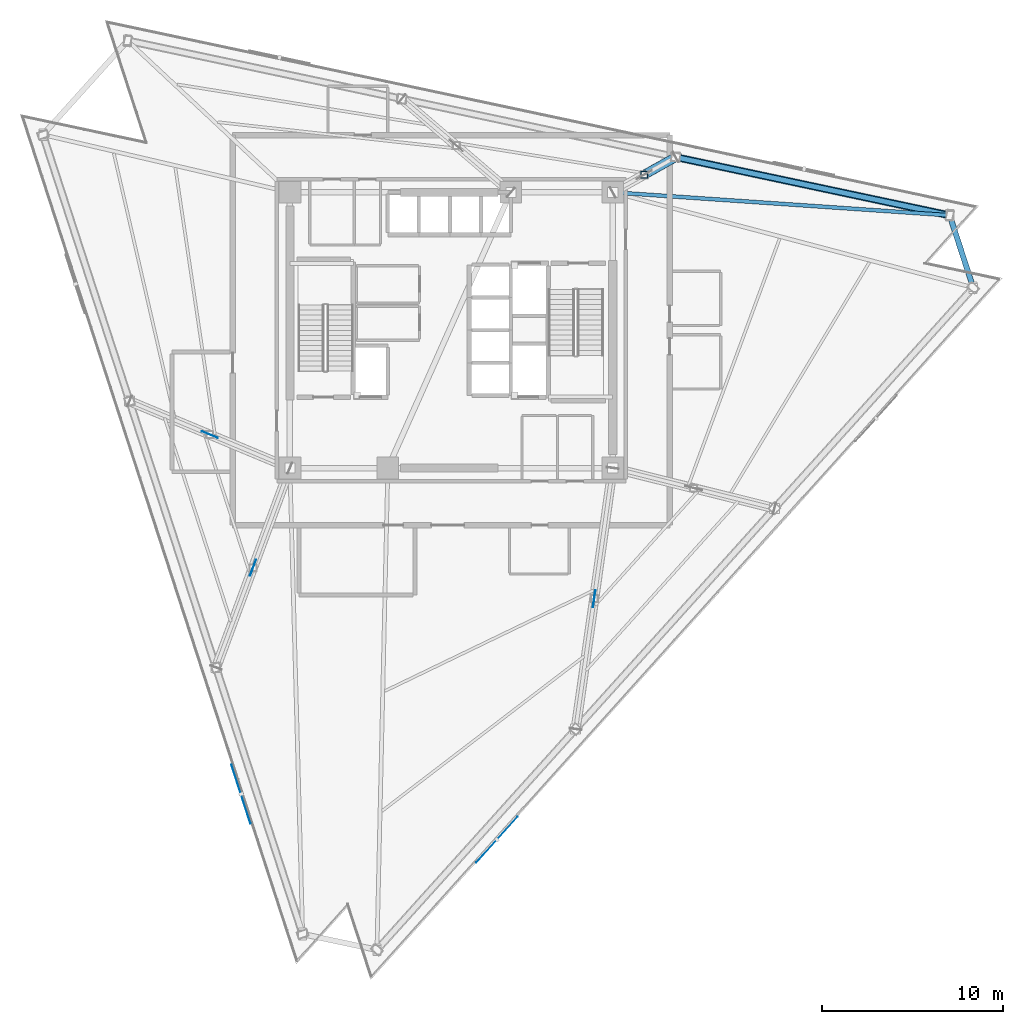
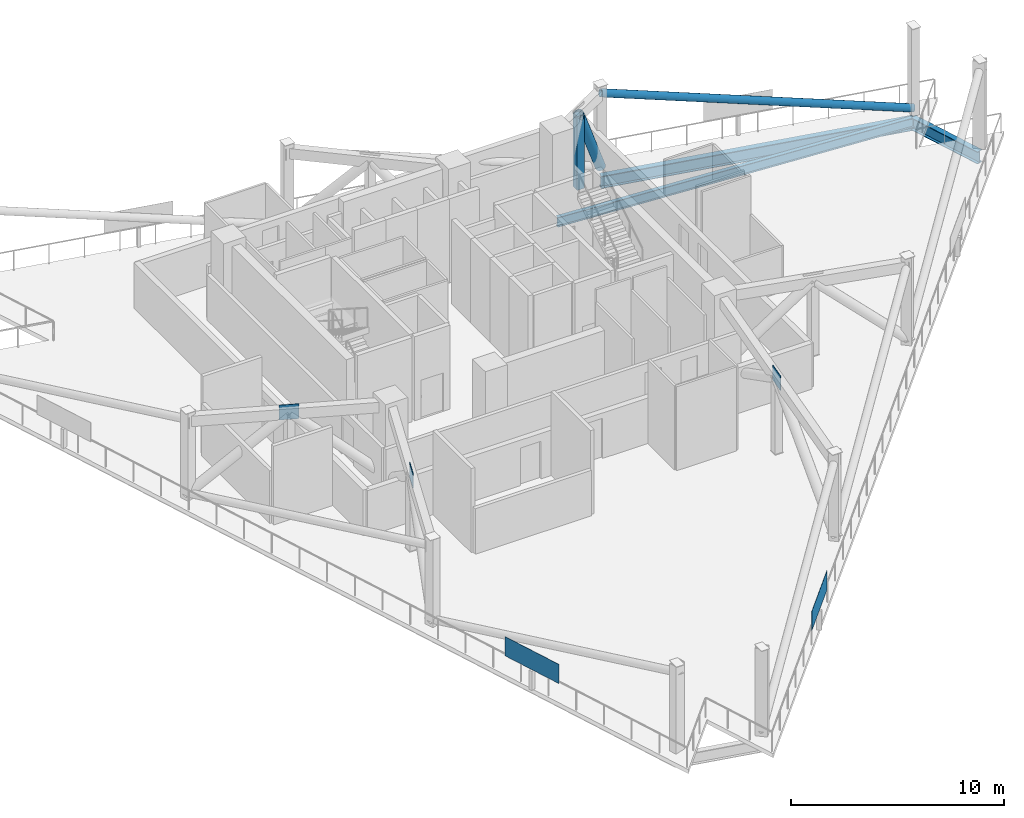
# One storey, part 3 of 15: 5 plates, 3 beams, 3 members.
"""IFC4 building model written with IfcOpenShell, lengths in metres."""

from ifc_helpers import new_model, si_unit, direction, frame, origin, origin_2d, place, context, subcontext, project, spatial, rectangle, hollow_rectangle, hollow_circle, i_section, extrude, material, layer, layer_set, material_profile, profile_set, type_object, element, save


model = new_model("IFC4")

# Units and contexts
model_context = context("Model", 3, precision=1e-05, world=origin(), true_north=direction((0.0, 1.0)))
body_context = subcontext(model_context, "Body", "Model", "MODEL_VIEW")
ifc_project = project(units=[si_unit("LENGTHUNIT", "METRE"), si_unit("AREAUNIT", "SQUARE_METRE"), si_unit("VOLUMEUNIT", "CUBIC_METRE"), si_unit("PLANEANGLEUNIT", "RADIAN"), si_unit("MASSUNIT", "GRAM", prefix="KILO")], contexts=[model_context])

# Site, building, storey
site_placement = place(None, origin())
site = spatial("IfcSite", under=ifc_project, at=site_placement, CompositionType="ELEMENT")
building_placement = place(site_placement, origin())
building = spatial("IfcBuilding", under=site, at=building_placement, Name="Tharavind Bronze Gate", CompositionType="ELEMENT")
storey_placement = place(building_placement, frame((0.0, 0.0, 222.050048828125)))
storey = spatial("IfcBuildingStorey", under=building, at=storey_placement, Name="L57", CompositionType="ELEMENT", Elevation=222.050048828125)

# Members
ifc_material_1 = material(Name="Steel S460", Category="steel")
ifc_material_profile_1 = material_profile(ifc_material_1, hollow_circle(Radius=0.203125, WallThickness=0.02001953125, at=origin_2d()), Name="CHS406X20")
ifc_profile_set_1 = profile_set([ifc_material_profile_1], Name="Steel S460")
member_type_1 = type_object("IfcMemberType", Name="BELT TRUSS BRACE CHS406", PredefinedType="BRACE", material=ifc_profile_set_1)
member_1_placement = place(storey_placement, frame((27.478515625, 6.330078125, 0.25), z_axis=(-0.943715753221, 0.200604984048, 0.262979500146), x_axis=(-0.207923599223, -0.978145069448, 0.0)))
element("IfcMember", 1, at=member_1_placement, inside=storey, type_object=member_type_1, Name="L57 belt truss brace 3.1", PredefinedType="BRACE", context=body_context, shape_type="SweptSolid", body=[
    extrude(hollow_circle(Radius=0.203125, WallThickness=0.02001953125, at=origin_2d()), origin(), (0.0, 0.0, 1.0), 16.0087890625),
])
ifc_material_profile_2 = material_profile(ifc_material_1, hollow_circle(Radius=0.25390625, WallThickness=0.031982421875, at=origin_2d()), Name="CHS508X32")
ifc_profile_set_2 = profile_set([ifc_material_profile_2], Name="Steel S460")
member_type_2 = type_object("IfcMemberType", Name="OUTRIGGER DIAGONAL BRACE CHS508", PredefinedType="BRACE", material=ifc_profile_set_2)
member_2_placement = place(storey_placement, frame((10.635498046875, 8.57080078125, 4.4599609375), z_axis=(0.372720317226, 0.208488461071, -0.904219070097), x_axis=(-0.488184564856, 0.872740414234, 0.0)))
element("IfcMember", 2, at=member_2_placement, inside=storey, type_object=member_type_2, Name="L57 outrigger diagonal brace 5.2", PredefinedType="BRACE", context=body_context, shape_type="SweptSolid", body=[
    extrude(hollow_circle(Radius=0.25390625, WallThickness=0.031982421875, at=origin_2d()), origin(), (0.0, 0.0, 1.0), 4.656005859375),
])
ifc_material_profile_3 = material_profile(ifc_material_1, hollow_rectangle(XDim=0.39990234375, YDim=0.39990234375, WallThickness=0.02490234375, at=origin_2d()), Name="SHS400X25")
ifc_profile_set_3 = profile_set([ifc_material_profile_3], Name="Steel S460")
member_type_3 = type_object("IfcMemberType", Name="OUTRIGGER VERTICAL STRUT SHS400", PredefinedType="STRUT", material=ifc_profile_set_3)
member_3_placement = place(storey_placement, frame((10.635498046875, 8.57080078125, 0.25), z_axis=(0.0, 0.0, 1.0), x_axis=(1.0, 0.0, 0.0)))
element("IfcMember", 3, at=member_3_placement, inside=storey, type_object=member_type_3, Name="L57 outrigger vertical strut 5", PredefinedType="STRUT", context=body_context, shape_type="SweptSolid", body=[
    extrude(hollow_rectangle(XDim=0.39990234375, YDim=0.39990234375, WallThickness=0.02490234375, at=origin_2d()), origin(), (0.0, 0.0, 1.0), 4.2099609375),
])

# Beams
ifc_material_2 = material(Name="Steel S355", Category="steel")
ifc_material_profile_4 = material_profile(ifc_material_2, i_section(OverallWidth=0.2099609375, OverallDepth=0.550048828125, WebThickness=0.010986328125, FlangeThickness=0.01708984375, at=origin_2d()), Name="IPE550")
ifc_profile_set_4 = profile_set([ifc_material_profile_4], Name="Steel S355")
beam_type_1 = type_object("IfcBeamType", Name="PRIMARY GIRDER IPE550", PredefinedType="USERDEFINED", material=ifc_profile_set_4)
beam_1_placement = place(storey_placement, frame((27.478515625, 6.330078125, -0.51513671875), z_axis=(-0.997671665482, 0.068200057871, 0.0), x_axis=(-0.068200057871, -0.997671665482, 0.0)))
element("IfcBeam", 4, at=beam_1_placement, inside=storey, type_object=beam_type_1, Name="L57 primary girder ipe550 BM-L57-RAD09", ObjectType="GIRDER", PredefinedType="USERDEFINED", context=body_context, shape_type="SweptSolid", body=[
    extrude(i_section(OverallWidth=0.2099609375, OverallDepth=0.550048828125, WebThickness=0.010986328125, FlangeThickness=0.01708984375, at=origin_2d()), origin(), (0.0, 0.0, 1.0), 18.6220703125),
])
ifc_material_profile_5 = material_profile(ifc_material_2, i_section(OverallWidth=0.300048828125, OverallDepth=0.699951171875, WebThickness=0.01708984375, FlangeThickness=0.031982421875, at=origin_2d()), Name="HE700B")
ifc_profile_set_5 = profile_set([ifc_material_profile_5], Name="Steel S355")
beam_type_2 = type_object("IfcBeamType", Name="RING GIRDER HE700B", PredefinedType="USERDEFINED", material=ifc_profile_set_5)
beam_2_placement = place(storey_placement, frame((28.772705078125, 2.34716796875, -0.590087890625), z_axis=(-0.309030708092, 0.951052060329, 0.0), x_axis=(-0.951052060329, -0.309030708092, 0.0)))
element("IfcBeam", 5, at=beam_2_placement, inside=storey, type_object=beam_type_2, Name="L57 ring girder he700b BM-L57-PRG08", ObjectType="GIRDER", PredefinedType="USERDEFINED", context=body_context, shape_type="SweptSolid", body=[
    extrude(i_section(OverallWidth=0.300048828125, OverallDepth=0.699951171875, WebThickness=0.01708984375, FlangeThickness=0.031982421875, at=origin_2d()), origin(), (0.0, 0.0, 1.0), 4.18798828125),
])
beam_3_placement = place(storey_placement, frame((27.478515625, 6.330078125, -0.590087890625), z_axis=(-0.978145069448, 0.207923599223, 0.0), x_axis=(-0.207923599223, -0.978145069448, 0.0)))
element("IfcBeam", 6, at=beam_3_placement, inside=storey, type_object=beam_type_2, Name="L57 ring girder he700b BM-L57-PRG09", ObjectType="GIRDER", PredefinedType="USERDEFINED", context=body_context, shape_type="SweptSolid", body=[
    extrude(i_section(OverallWidth=0.300048828125, OverallDepth=0.699951171875, WebThickness=0.01708984375, FlangeThickness=0.031982421875, at=origin_2d()), origin(), (0.0, 0.0, 1.0), 15.4453125),
])

# Plates
ifc_material_3 = material(Name="Perforated Bronze Alloy", Category="bronze")
ifc_layer_1 = layer(ifc_material_3, 0.011962890625)
ifc_layer_set_1 = layer_set([ifc_layer_1], Name="Perforated Bronze Alloy")
plate_type_1 = type_object("IfcPlateType", Name="BRONZE PERFORATED SOLAR SCREEN", PredefinedType="USERDEFINED", material=ifc_layer_set_1)
for number, where, z_axis, x_axis, name in (
    (7, (-11.595947265625, -25.58056640625, 1.099853515625), (0.0, 0.0, 1.0), (0.309016994375, -0.951056516295, 0.0), "L57 wind floor acoustic bronze baffle 1.2"),
    (8, (2.514892578125, -28.085693359375, 1.099853515625), (0.0, 0.0, 1.0), (0.669130606359, 0.743144825477, 0.0), "L57 wind floor acoustic bronze baffle 2.1"),
):
    element("IfcPlate", number, at=place(storey_placement, frame(where, z_axis=z_axis, x_axis=x_axis)), inside=storey, type_object=plate_type_1, Name=name, ObjectType="SCREEN", PredefinedType="USERDEFINED", context=body_context, shape_type="SweptSolid", body=[
        extrude(rectangle(XDim=3.39990234375, YDim=0.011962890625, at=origin_2d()), origin(), (0.0, 0.0, 1.0), 1.10009765625),
    ])
ifc_layer_2 = layer(ifc_material_1, 0.028076171875)
ifc_layer_set_2 = layer_set([ifc_layer_2], Name="Steel S460")
plate_type_2 = type_object("IfcPlateType", Name="STEEL NODE GUSSET PLATE 28", PredefinedType="USERDEFINED", material=ifc_layer_set_2)
for number, where, z_axis, x_axis, name in (
    (9, (-13.3212890625, -5.75634765625, 4.034912109375), (0.0, 0.0, 1.0), (-0.922966559807, 0.384880149499, 0.0), "Node N3 outrigger truss gusset plate 1"),
    (10, (-10.934814453125, -13.10107421875, 4.034912109375), (0.0, 0.0, 1.0), (0.346938925421, 0.937887723572, 0.0), "Node N3 outrigger truss gusset plate 2"),
    (11, (7.878662109375, -14.79638671875, 4.034912109375), (0.0, 0.0, 1.0), (0.140519351753, 0.990077932176, 0.0), "Node N3 outrigger truss gusset plate 3"),
):
    element("IfcPlate", number, at=place(storey_placement, frame(where, z_axis=z_axis, x_axis=x_axis)), inside=storey, type_object=plate_type_2, Name=name, ObjectType="GUSSET PLATE", PredefinedType="USERDEFINED", context=body_context, shape_type="SweptSolid", body=[
        extrude(rectangle(XDim=0.949951171875, YDim=0.028076171875, at=origin_2d()), origin(), (0.0, 0.0, 1.0), 0.85009765625),
    ])

save(model, "model.ifc")
